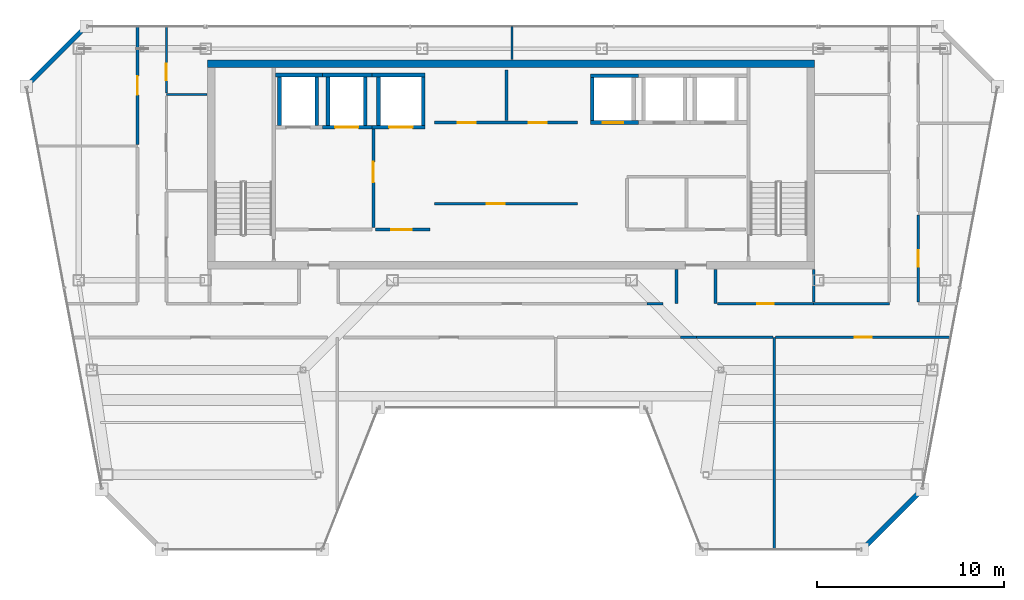
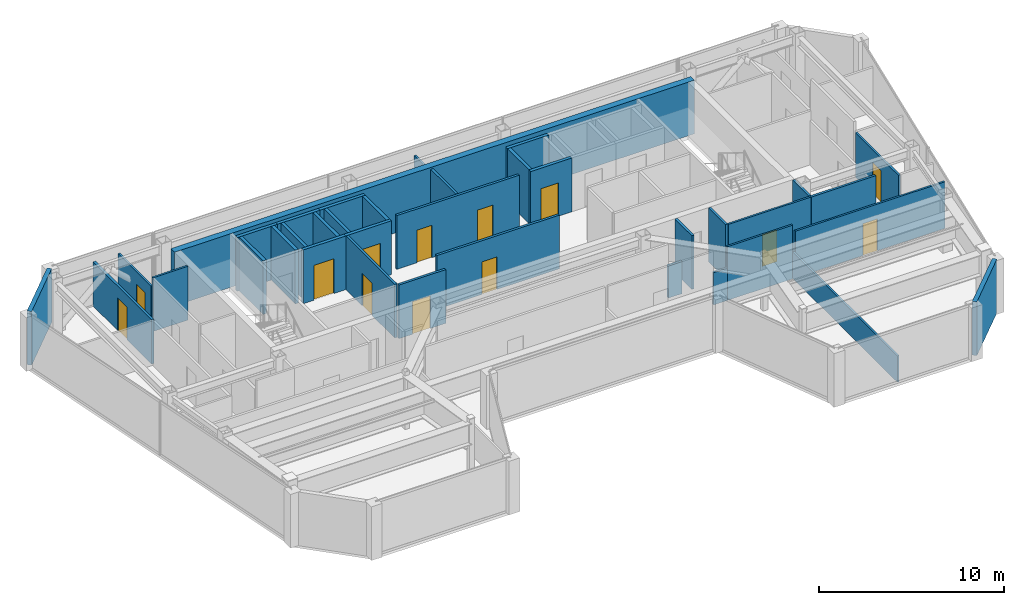
# One storey, part 20 of 23: 37 walls, 13 doors, 13 openings.
"""IFC4 building model written with IfcOpenShell, lengths in metres."""

from ifc_helpers import new_model, si_unit, direction, frame, frame_2d, origin, place, context, subcontext, project, spatial, rectangle, extrude, material, layer, layer_set, type_object, element, fill, save


model = new_model("IFC4")

# Units and contexts
model_context = context("Model", 3, precision=1e-05, world=origin(), true_north=direction((0.0, 1.0)))
body_context = subcontext(model_context, "Body", "Model", "MODEL_VIEW")
ifc_project = project(units=[si_unit("LENGTHUNIT", "METRE"), si_unit("AREAUNIT", "SQUARE_METRE"), si_unit("VOLUMEUNIT", "CUBIC_METRE"), si_unit("PLANEANGLEUNIT", "RADIAN"), si_unit("MASSUNIT", "GRAM", prefix="KILO")], contexts=[model_context])

# Site, building, storey
site_placement = place(None, origin())
site = spatial("IfcSite", under=ifc_project, at=site_placement, CompositionType="ELEMENT")
building_placement = place(site_placement, origin())
building = spatial("IfcBuilding", under=site, at=building_placement, Name="Saevonmaru Cultural Tower", CompositionType="ELEMENT")
storey_placement = place(building_placement, frame((0.0, 0.0, 291.39990234375)))
storey = spatial("IfcBuildingStorey", under=building, at=storey_placement, Name="L69", CompositionType="ELEMENT", Elevation=291.39990234375)

# Wall
ifc_material_1 = material(Name="Concrete C50/60", Category="concrete")
ifc_layer_1 = layer(ifc_material_1, 0.39990234375, Name="Concrete C50/60")
ifc_layer_set_1 = layer_set([ifc_layer_1], Name="Concrete C50/60")
wall_type_1 = type_object("IfcWallType", Name="WL-CORE-400", PredefinedType="SHEAR", material=ifc_layer_set_1)
wall_1_placement = place(storey_placement, frame((13.699951171875, 54.0, 0.0), z_axis=(0.0, 0.0, 1.0), x_axis=(1.0, 0.0, 0.0)))
element("IfcWall", 1, at=wall_1_placement, inside=storey, type_object=wall_type_1, Name="L69 Tower RC core shear wall N", PredefinedType="SHEAR", context=body_context, shape_type="SweptSolid", body=[
    extrude(rectangle(XDim=32.5, YDim=0.39990234375, at=frame_2d((16.25, 0.0))), origin(), (0.0, 0.0, 1.0), 3.550048828125),
])

# Wall, opening, door
ifc_material_2 = material(Name="Gypsum Fireboard Partition", Category="gypsum")
ifc_layer_2 = layer(ifc_material_2, 0.14990234375, Name="Gypsum Fireboard Partition")
ifc_layer_set_2 = layer_set([ifc_layer_2], Name="Gypsum Fireboard Partition")
wall_type_2 = type_object("IfcWallType", Name="WL-CORE-PART-150", PredefinedType="PARTITIONING", material=ifc_layer_set_2)
wall_2_placement = place(storey_placement, frame((22.580078125, 50.550048828125, 0.0), z_axis=(0.0, 0.0, 1.0), x_axis=(0.0, -1.0, 0.0)))
wall_2 = element("IfcWall", 2, at=wall_2_placement, inside=storey, type_object=wall_type_2, Name="L69 Firefighting Lift Lobby East Wall", PredefinedType="PARTITIONING", context=body_context, shape_type="SweptSolid", body=[
    extrude(rectangle(XDim=5.330078125, YDim=0.14990234375, at=frame_2d((2.6650390625, 0.0))), origin(), (0.0, 0.0, 1.0), 3.550048828125),
])
opening_1_placement = place(wall_2_placement, frame((1.800048828125, 0.0, 0.0)))
opening_1 = element("IfcOpeningElement", 3, at=opening_1_placement, cuts=wall_2, Name="Opening FD-2", PredefinedType="OPENING", context=body_context, shape_type="SweptSolid", body=[
    extrude(rectangle(XDim=1.10009765625, YDim=2.14990234375, at=frame_2d((0.550048828125, 1.074951171875))), frame((0.0, 0.0849609375, 0.0), z_axis=(0.0, -1.0, 0.0), x_axis=(1.0, 0.0, 0.0)), (0.0, 0.0, 1.0), 0.169921875),
])
ifc_material_3 = material(Name="Satin Bronze Anodised Aluminium", Category="aluminium")
door_type_1 = type_object("IfcDoorType", Name="DR-FD60-1100", OperationType="SINGLE_SWING_LEFT", PredefinedType="DOOR", material=ifc_material_3)
door_1_placement = place(opening_1_placement, origin())
door_1 = element("IfcDoor", 4, at=door_1_placement, inside=storey, type_object=door_type_1, Name="L69 Firefighting Lift Lobby East Door", OperationType="SINGLE_SWING_LEFT", OverallHeight=2.14990234375, OverallWidth=1.10009765625, PredefinedType="DOOR", context=body_context, shape_type="SweptSolid", body=[
    extrude(rectangle(XDim=1.10009765625, YDim=2.14990234375, at=frame_2d((0.550048828125, 1.074951171875))), frame((0.0, 0.02490234375, 0.0), z_axis=(0.0, -1.0, 0.0), x_axis=(1.0, 0.0, 0.0)), (0.0, 0.0, 1.0), 0.050048828125),
])
fill(opening_1, door_1)

wall_3_placement = place(storey_placement, frame((22.679931640625, 45.1201171875, 0.0), z_axis=(0.0, 0.0, 1.0), x_axis=(1.0, 0.0, 0.0)))
wall_3 = element("IfcWall", 5, at=wall_3_placement, inside=storey, type_object=wall_type_2, Name="L69 Service Lift Vestibule Wall", PredefinedType="PARTITIONING", context=body_context, shape_type="SweptSolid", body=[
    extrude(rectangle(XDim=2.920166015625, YDim=0.14990234375, at=frame_2d((1.4599609375, 0.0))), origin(), (0.0, 0.0, 1.0), 3.550048828125),
])
opening_2_placement = place(wall_3_placement, frame((0.85009765625, 0.0, 0.0)))
opening_2 = element("IfcOpeningElement", 6, at=opening_2_placement, cuts=wall_3, Name="Opening FD-2", PredefinedType="OPENING", context=body_context, shape_type="SweptSolid", body=[
    extrude(rectangle(XDim=1.10009765625, YDim=2.14990234375, at=frame_2d((0.550048828125, 1.074951171875))), frame((0.0, 0.0849609375, 0.0), z_axis=(0.0, -1.0, 0.0), x_axis=(1.0, 0.0, 0.0)), (0.0, 0.0, 1.0), 0.169921875),
])
door_2_placement = place(opening_2_placement, origin())
door_2 = element("IfcDoor", 7, at=door_2_placement, inside=storey, type_object=door_type_1, Name="L69 Service Lift Vestibule Door", OperationType="SINGLE_SWING_LEFT", OverallHeight=2.14990234375, OverallWidth=1.10009765625, PredefinedType="DOOR", context=body_context, shape_type="SweptSolid", body=[
    extrude(rectangle(XDim=1.10009765625, YDim=2.14990234375, at=frame_2d((0.550048828125, 1.074951171875))), frame((0.0, 0.02490234375, 0.0), z_axis=(0.0, -1.0, 0.0), x_axis=(1.0, 0.0, 0.0)), (0.0, 0.0, 1.0), 0.050048828125),
])
fill(opening_2, door_2)

# Wall, openings, doors
wall_4_placement = place(storey_placement, frame((25.85009765625, 50.85009765625, 0.0), z_axis=(0.0, 0.0, 1.0), x_axis=(1.0, 0.0, 0.0)))
wall_4 = element("IfcWall", 8, at=wall_4_placement, inside=storey, type_object=wall_type_2, Name="L69 Reclaimed Core Room South Wall", PredefinedType="PARTITIONING", context=body_context, shape_type="SweptSolid", body=[
    extrude(rectangle(XDim=7.64990234375, YDim=0.14990234375, at=frame_2d((3.824951171875, 0.0))), origin(), (0.0, 0.0, 1.0), 3.550048828125),
])
opening_3_placement = place(wall_4_placement, frame((1.25, 0.0, 0.0)))
opening_3 = element("IfcOpeningElement", 9, at=opening_3_placement, cuts=wall_4, Name="Opening FD-4", PredefinedType="OPENING", context=body_context, shape_type="SweptSolid", body=[
    extrude(rectangle(XDim=0.949951171875, YDim=2.14990234375, at=frame_2d((0.47509765625, 1.074951171875))), frame((0.0, 0.0849609375, 0.0), z_axis=(0.0, -1.0, 0.0), x_axis=(1.0, 0.0, 0.0)), (0.0, 0.0, 1.0), 0.169921875),
])
opening_4_placement = place(wall_4_placement, frame((5.050048828125, 0.0, 0.0)))
opening_4 = element("IfcOpeningElement", 10, at=opening_4_placement, cuts=wall_4, Name="Opening FD-4", PredefinedType="OPENING", context=body_context, shape_type="SweptSolid", body=[
    extrude(rectangle(XDim=0.949951171875, YDim=2.14990234375, at=frame_2d((0.47509765625, 1.074951171875))), frame((0.0, 0.0849609375, 0.0), z_axis=(0.0, -1.0, 0.0), x_axis=(1.0, 0.0, 0.0)), (0.0, 0.0, 1.0), 0.169921875),
])
door_type_2 = type_object("IfcDoorType", Name="DR-FD60-950", OperationType="SINGLE_SWING_LEFT", PredefinedType="DOOR", material=ifc_material_3)
door_3_placement = place(opening_3_placement, origin())
door_3 = element("IfcDoor", 11, at=door_3_placement, inside=storey, type_object=door_type_2, Name="L69 Reclaimed Archive Vault Door", OperationType="SINGLE_SWING_LEFT", OverallHeight=2.14990234375, OverallWidth=0.949951171875, PredefinedType="DOOR", context=body_context, shape_type="SweptSolid", body=[
    extrude(rectangle(XDim=0.949951171875, YDim=2.14990234375, at=frame_2d((0.47509765625, 1.074951171875))), frame((0.0, 0.02490234375, 0.0), z_axis=(0.0, -1.0, 0.0), x_axis=(1.0, 0.0, 0.0)), (0.0, 0.0, 1.0), 0.050048828125),
])
fill(opening_3, door_3)
door_4_placement = place(opening_4_placement, origin())
door_4 = element("IfcDoor", 12, at=door_4_placement, inside=storey, type_object=door_type_2, Name="L69 Reclaimed Conservation Storage Door", OperationType="SINGLE_SWING_LEFT", OverallHeight=2.14990234375, OverallWidth=0.949951171875, PredefinedType="DOOR", context=body_context, shape_type="SweptSolid", body=[
    extrude(rectangle(XDim=0.949951171875, YDim=2.14990234375, at=frame_2d((0.47509765625, 1.074951171875))), frame((0.0, 0.02490234375, 0.0), z_axis=(0.0, -1.0, 0.0), x_axis=(1.0, 0.0, 0.0)), (0.0, 0.0, 1.0), 0.050048828125),
])
fill(opening_4, door_4)

# Wall
wall_5_placement = place(storey_placement, frame((29.699951171875, 50.949951171875, 0.0), z_axis=(0.0, 0.0, 1.0), x_axis=(0.0, 1.0, 0.0)))
element("IfcWall", 13, at=wall_5_placement, inside=storey, type_object=wall_type_2, Name="L69 Reclaimed Vault Split", PredefinedType="PARTITIONING", context=body_context, shape_type="SweptSolid", body=[
    extrude(rectangle(XDim=2.699951171875, YDim=0.14990234375, at=frame_2d((1.35009765625, 0.0))), origin(), (0.0, 0.0, 1.0), 3.550048828125),
])

# Wall, opening, door
wall_6_placement = place(storey_placement, frame((25.85009765625, 46.5, 0.0), z_axis=(0.0, 0.0, 1.0), x_axis=(1.0, 0.0, 0.0)))
wall_6 = element("IfcWall", 14, at=wall_6_placement, inside=storey, type_object=wall_type_2, Name="L69 Reclaimed Mid-Shaft Wall", PredefinedType="PARTITIONING", context=body_context, shape_type="SweptSolid", body=[
    extrude(rectangle(XDim=7.64990234375, YDim=0.14990234375, at=frame_2d((3.824951171875, 0.0))), origin(), (0.0, 0.0, 1.0), 3.550048828125),
])
opening_5_placement = place(wall_6_placement, frame((2.800048828125, 0.0, 0.0)))
opening_5 = element("IfcOpeningElement", 15, at=opening_5_placement, cuts=wall_6, Name="Opening FD-4", PredefinedType="OPENING", context=body_context, shape_type="SweptSolid", body=[
    extrude(rectangle(XDim=0.949951171875, YDim=2.14990234375, at=frame_2d((0.47509765625, 1.074951171875))), frame((0.0, 0.0849609375, 0.0), z_axis=(0.0, -1.0, 0.0), x_axis=(1.0, 0.0, 0.0)), (0.0, 0.0, 1.0), 0.169921875),
])
door_5_placement = place(opening_5_placement, origin())
door_5 = element("IfcDoor", 16, at=door_5_placement, inside=storey, type_object=door_type_2, Name="L69 Reclaimed Manuscript Storage Door", OperationType="SINGLE_SWING_LEFT", OverallHeight=2.14990234375, OverallWidth=0.949951171875, PredefinedType="DOOR", context=body_context, shape_type="SweptSolid", body=[
    extrude(rectangle(XDim=0.949951171875, YDim=2.14990234375, at=frame_2d((0.47509765625, 1.074951171875))), frame((0.0, 0.02490234375, 0.0), z_axis=(0.0, -1.0, 0.0), x_axis=(1.0, 0.0, 0.0)), (0.0, 0.0, 1.0), 0.050048828125),
])
fill(opening_5, door_5)

# Walls
ifc_material_4 = material(Name="Granite-Clad Precast Concrete C40/50", Category="masonry")
ifc_layer_3 = layer(ifc_material_4, 0.260009765625, Name="Granite-Clad Precast Concrete C40/50")
ifc_layer_set_3 = layer_set([ifc_layer_3], Name="Granite-Clad Precast Concrete C40/50")
wall_type_3 = type_object("IfcWallType", Name="WL-EXT-SPANDREL-260", PredefinedType="STANDARD", material=ifc_layer_set_3)
for number, where, z_axis, x_axis, name in (
    (17, (48.86865234375, 28.113037109375, 0.0), (0.0, 0.0, 1.0), (0.707106781187, 0.707106781187, 0.0), "L69 Chamfer Corner Spandrel Wall E7"),
    (18, (7.0869140625, 55.886962890625, 0.0), (0.0, 0.0, 1.0), (-0.707106781187, -0.707106781187, 0.0), "L69 Chamfer Corner Spandrel Wall E11"),
):
    element("IfcWall", number, at=place(storey_placement, frame(where, z_axis=z_axis, x_axis=x_axis)), inside=storey, type_object=wall_type_3, Name=name, PredefinedType="STANDARD", context=body_context, shape_type="SweptSolid", body=[
        extrude(rectangle(XDim=4.205810546875, YDim=0.260009765625, at=frame_2d((2.10302734375, 0.0))), origin(), (0.0, 0.0, 1.0), 3.550048828125),
    ])

# Wall, opening, door
ifc_layer_4 = layer(ifc_material_2, 0.14990234375, Name="Gypsum Fireboard Partition")
ifc_layer_set_4 = layer_set([ifc_layer_4], Name="Gypsum Fireboard Partition")
wall_type_4 = type_object("IfcWallType", Name="WL-PART-FIRE-150", PredefinedType="PARTITIONING", material=ifc_layer_set_4)
wall_7_placement = place(storey_placement, frame((9.949951171875, 49.679931640625, 0.0), z_axis=(0.0, 0.0, 1.0), x_axis=(0.0, 1.0, 0.0)))
wall_7 = element("IfcWall", 19, at=wall_7_placement, inside=storey, type_object=wall_type_4, Name="L69 Sound Art Screening Auditorium Corridor Wall", PredefinedType="PARTITIONING", context=body_context, shape_type="SweptSolid", body=[
    extrude(rectangle(XDim=6.315185546875, YDim=0.14990234375, at=frame_2d((3.15771484375, 0.0))), origin(), (0.0, 0.0, 1.0), 2.93505859375),
])
opening_6_placement = place(wall_7_placement, frame((2.656982421875, 0.0, 0.0)))
opening_6 = element("IfcOpeningElement", 20, at=opening_6_placement, cuts=wall_7, Name="Opening ID-1B", PredefinedType="OPENING", context=body_context, shape_type="SweptSolid", body=[
    extrude(rectangle(XDim=1.0, YDim=2.14990234375, at=frame_2d((0.5, 1.074951171875))), frame((0.0, 0.0849609375, 0.0), z_axis=(0.0, -1.0, 0.0), x_axis=(1.0, 0.0, 0.0)), (0.0, 0.0, 1.0), 0.169921875),
])
ifc_material_5 = material(Name="Acoustic Stained Oak Timber", Category="wood")
door_type_3 = type_object("IfcDoorType", Name="DR-INT-1000", OperationType="SINGLE_SWING_RIGHT", PredefinedType="DOOR", material=ifc_material_5)
door_6_placement = place(opening_6_placement, origin())
door_6 = element("IfcDoor", 21, at=door_6_placement, inside=storey, type_object=door_type_3, Name="L69 Sound Art Screening Auditorium Door", OperationType="SINGLE_SWING_LEFT", OverallHeight=2.14990234375, OverallWidth=1.0, PredefinedType="DOOR", context=body_context, shape_type="SweptSolid", body=[
    extrude(rectangle(XDim=1.0, YDim=2.14990234375, at=frame_2d((0.5, 1.074951171875))), frame((0.0, 0.02490234375, 0.0), z_axis=(0.0, -1.0, 0.0), x_axis=(1.0, 0.0, 0.0)), (0.0, 0.0, 1.0), 0.050048828125),
])
fill(opening_6, door_6)

# Walls
for number, where, z_axis, x_axis, name in (
    (22, (38.800048828125, 41.14990234375, 0.0), (0.0, 0.0, 1.0), (0.0, 1.0, 0.0), "L69 Core Portal Side Wall E1"),
    (23, (40.89990234375, 41.14990234375, 0.0), (0.0, 0.0, 1.0), (0.0, 1.0, 0.0), "L69 Core Portal Side Wall E2"),
):
    element("IfcWall", number, at=place(storey_placement, frame(where, z_axis=z_axis, x_axis=x_axis)), inside=storey, type_object=wall_type_4, Name=name, PredefinedType="PARTITIONING", context=body_context, shape_type="SweptSolid", body=[
        extrude(rectangle(XDim=1.830078125, YDim=0.14990234375, at=frame_2d((0.9150390625, 0.0))), origin(), (0.0, 0.0, 1.0), 3.550048828125),
    ])
wall_8_placement = place(storey_placement, frame((37.216796875, 41.14990234375, 0.0), z_axis=(0.0, 0.0, 1.0), x_axis=(1.0, 0.0, 0.0)))
element("IfcWall", 24, at=wall_8_placement, inside=storey, type_object=wall_type_4, Name="L69 Sound Art Screening Auditorium Corridor Wall (4)", PredefinedType="PARTITIONING", context=body_context, shape_type="SweptSolid", body=[
    extrude(rectangle(XDim=0.862060546875, YDim=0.14990234375, at=frame_2d((0.43115234375, 0.0))), origin(), (0.0, 0.0, 1.0), 2.135009765625),
])
ifc_layer_5 = layer(ifc_material_2, 0.1201171875, Name="Gypsum Fireboard Partition")
ifc_layer_set_5 = layer_set([ifc_layer_5], Name="Gypsum Fireboard Partition")
wall_type_5 = type_object("IfcWallType", Name="WL-PART-GYP-120", PredefinedType="PARTITIONING", material=ifc_layer_set_5)
wall_9_placement = place(storey_placement, frame((11.5, 52.35009765625, 0.0), z_axis=(0.0, 0.0, 1.0), x_axis=(1.0, 0.0, 0.0)))
element("IfcWall", 25, at=wall_9_placement, inside=storey, type_object=wall_type_5, Name="L69 North-West Panorama South Wall", PredefinedType="PARTITIONING", context=body_context, shape_type="SweptSolid", body=[
    extrude(rectangle(XDim=2.179931640625, YDim=0.1201171875, at=frame_2d((1.08984375, 0.0))), origin(), (0.0, 0.0, 1.0), 3.550048828125),
])
wall_10_placement = place(storey_placement, frame((30.0, 54.219970703125, 0.0), z_axis=(0.0, 0.0, 1.0), x_axis=(0.0, 1.0, 0.0)))
element("IfcWall", 26, at=wall_10_placement, inside=storey, type_object=wall_type_5, Name="L69 North Panorama Center Split", PredefinedType="PARTITIONING", context=body_context, shape_type="SweptSolid", body=[
    extrude(rectangle(XDim=1.775146484375, YDim=0.1201171875, at=frame_2d((0.8876953125, 0.0))), origin(), (0.0, 0.0, 1.0), 2.93505859375),
])

# Wall, opening, door
wall_11_placement = place(storey_placement, frame((11.5, 52.429931640625, 0.0), z_axis=(0.0, 0.0, 1.0), x_axis=(0.0, 1.0, 0.0)))
wall_11 = element("IfcWall", 27, at=wall_11_placement, inside=storey, type_object=wall_type_5, Name="L69 Civic Policy Meeting Room Corridor Wall", PredefinedType="PARTITIONING", context=body_context, shape_type="SweptSolid", body=[
    extrude(rectangle(XDim=3.565185546875, YDim=0.1201171875, at=frame_2d((1.78271484375, 0.0))), origin(), (0.0, 0.0, 1.0), 2.93505859375),
])
opening_7_placement = place(wall_11_placement, frame((0.672119140625, 0.0, 0.0)))
opening_7 = element("IfcOpeningElement", 28, at=opening_7_placement, cuts=wall_11, Name="Opening ID-2", PredefinedType="OPENING", context=body_context, shape_type="SweptSolid", body=[
    extrude(rectangle(XDim=0.89990234375, YDim=2.10009765625, at=frame_2d((0.449951171875, 1.050048828125))), frame((0.0, 0.070068359375, 0.0), z_axis=(0.0, -1.0, 0.0), x_axis=(1.0, 0.0, 0.0)), (0.0, 0.0, 1.0), 0.14013671875),
])
door_type_4 = type_object("IfcDoorType", Name="DR-INT-900", OperationType="SINGLE_SWING_RIGHT", PredefinedType="DOOR", material=ifc_material_5)
door_7_placement = place(opening_7_placement, origin())
door_7 = element("IfcDoor", 29, at=door_7_placement, inside=storey, type_object=door_type_4, Name="L69 Civic Policy Meeting Room Door", OperationType="SINGLE_SWING_LEFT", OverallHeight=2.10009765625, OverallWidth=0.89990234375, PredefinedType="DOOR", context=body_context, shape_type="SweptSolid", body=[
    extrude(rectangle(XDim=0.89990234375, YDim=2.10009765625, at=frame_2d((0.449951171875, 1.050048828125))), frame((0.0, 0.02490234375, 0.0), z_axis=(0.0, -1.0, 0.0), x_axis=(1.0, 0.0, 0.0)), (0.0, 0.0, 1.0), 0.050048828125),
])
fill(opening_7, door_7)

wall_12_placement = place(storey_placement, frame((51.75, 41.237548828125, 0.0), z_axis=(0.0, 0.0, 1.0), x_axis=(0.0, 1.0, 0.0)))
wall_12 = element("IfcWall", 30, at=wall_12_placement, inside=storey, type_object=wall_type_5, Name="L69 Scholarly Colloquium Meeting Room Corridor Wall", PredefinedType="PARTITIONING", context=body_context, shape_type="SweptSolid", body=[
    extrude(rectangle(XDim=4.675048828125, YDim=0.1201171875, at=frame_2d((2.33740234375, 0.0))), origin(), (0.0, 0.0, 1.0), 2.947021484375),
])
opening_8_placement = place(wall_12_placement, frame((1.887939453125, 0.0, 0.0)))
opening_8 = element("IfcOpeningElement", 31, at=opening_8_placement, cuts=wall_12, Name="Opening ID-2", PredefinedType="OPENING", context=body_context, shape_type="SweptSolid", body=[
    extrude(rectangle(XDim=0.89990234375, YDim=2.10009765625, at=frame_2d((0.449951171875, 1.050048828125))), frame((0.0, 0.070068359375, 0.0), z_axis=(0.0, -1.0, 0.0), x_axis=(1.0, 0.0, 0.0)), (0.0, 0.0, 1.0), 0.14013671875),
])
door_8_placement = place(opening_8_placement, origin())
door_8 = element("IfcDoor", 32, at=door_8_placement, inside=storey, type_object=door_type_4, Name="L69 Scholarly Colloquium Meeting Room Door", OperationType="SINGLE_SWING_RIGHT", OverallHeight=2.10009765625, OverallWidth=0.89990234375, PredefinedType="DOOR", context=body_context, shape_type="SweptSolid", body=[
    extrude(rectangle(XDim=0.89990234375, YDim=2.10009765625, at=frame_2d((0.449951171875, 1.050048828125))), frame((0.0, 0.02490234375, 0.0), z_axis=(0.0, -1.0, 0.0), x_axis=(1.0, 0.0, 0.0)), (0.0, 0.0, 1.0), 0.050048828125),
])
fill(opening_8, door_8)

wall_13_placement = place(storey_placement, frame((40.9951171875, 41.14990234375, 0.0), z_axis=(0.0, 0.0, 1.0), x_axis=(1.0, 0.0, 0.0)))
wall_13 = element("IfcWall", 33, at=wall_13_placement, inside=storey, type_object=wall_type_5, Name="L69 Civic Policy Meeting Room Corridor Wall", PredefinedType="PARTITIONING", context=body_context, shape_type="SweptSolid", body=[
    extrude(rectangle(XDim=5.15478515625, YDim=0.1201171875, at=frame_2d((2.577392578125, 0.0))), origin(), (0.0, 0.0, 1.0), 3.550048828125),
])
opening_9_placement = place(wall_13_placement, frame((2.1279296875, 0.0, 0.0)))
opening_9 = element("IfcOpeningElement", 34, at=opening_9_placement, cuts=wall_13, Name="Opening ID-2", PredefinedType="OPENING", context=body_context, shape_type="SweptSolid", body=[
    extrude(rectangle(XDim=0.89990234375, YDim=2.10009765625, at=frame_2d((0.449951171875, 1.050048828125))), frame((0.0, 0.070068359375, 0.0), z_axis=(0.0, -1.0, 0.0), x_axis=(1.0, 0.0, 0.0)), (0.0, 0.0, 1.0), 0.14013671875),
])
door_9_placement = place(opening_9_placement, origin())
door_9 = element("IfcDoor", 35, at=door_9_placement, inside=storey, type_object=door_type_4, Name="L69 Civic Policy Meeting Room Door", OperationType="SINGLE_SWING_LEFT", OverallHeight=2.10009765625, OverallWidth=0.89990234375, PredefinedType="DOOR", context=body_context, shape_type="SweptSolid", body=[
    extrude(rectangle(XDim=0.89990234375, YDim=2.10009765625, at=frame_2d((0.449951171875, 1.050048828125))), frame((0.0, 0.02490234375, 0.0), z_axis=(0.0, -1.0, 0.0), x_axis=(1.0, 0.0, 0.0)), (0.0, 0.0, 1.0), 0.050048828125),
])
fill(opening_9, door_9)

# Walls
wall_14_placement = place(storey_placement, frame((44.0400390625, 28.0048828125, 0.0), z_axis=(0.0, 0.0, 1.0), x_axis=(0.0, 1.0, 0.0)))
element("IfcWall", 36, at=wall_14_placement, inside=storey, type_object=wall_type_5, Name="L69 Observatory Bay Divider 3", PredefinedType="PARTITIONING", context=body_context, shape_type="SweptSolid", body=[
    extrude(rectangle(XDim=11.34521484375, YDim=0.1201171875, at=frame_2d((5.672607421875, 0.0))), origin(), (0.0, 0.0, 1.0), 1.735107421875),
])
wall_15_placement = place(storey_placement, frame((39.8759765625, 39.35009765625, 0.0), z_axis=(0.0, 0.0, 1.0), x_axis=(1.0, 0.0, 0.0)))
element("IfcWall", 37, at=wall_15_placement, inside=storey, type_object=wall_type_5, Name="L69 Civic Policy Meeting Room Corridor Wall (2)", PredefinedType="PARTITIONING", context=body_context, shape_type="SweptSolid", body=[
    extrude(rectangle(XDim=4.083984375, YDim=0.1201171875, at=frame_2d((2.0419921875, 0.0))), origin(), (0.0, 0.0, 1.0), 3.550048828125),
])
wall_16_placement = place(storey_placement, frame((39.013916015625, 39.35009765625, 0.0), z_axis=(0.0, 0.0, 1.0), x_axis=(1.0, 0.0, 0.0)))
element("IfcWall", 38, at=wall_16_placement, inside=storey, type_object=wall_type_5, Name="L69 Civic Policy Meeting Room Corridor Wall (3)", PredefinedType="PARTITIONING", context=body_context, shape_type="SweptSolid", body=[
    extrude(rectangle(XDim=0.862060546875, YDim=0.1201171875, at=frame_2d((0.43115234375, 0.0))), origin(), (0.0, 0.0, 1.0), 2.135009765625),
])

# Wall, opening, door
wall_17_placement = place(storey_placement, frame((44.1201171875, 39.35009765625, 0.0), z_axis=(0.0, 0.0, 1.0), x_axis=(1.0, 0.0, 0.0)))
wall_17 = element("IfcWall", 39, at=wall_17_placement, inside=storey, type_object=wall_type_5, Name="L69 Scholarly Colloquium Meeting Room Corridor Wall", PredefinedType="PARTITIONING", context=body_context, shape_type="SweptSolid", body=[
    extrude(rectangle(XDim=9.3564453125, YDim=0.1201171875, at=frame_2d((4.67822265625, 0.0))), origin(), (0.0, 0.0, 1.0), 3.085205078125),
])
opening_10_placement = place(wall_17_placement, frame((4.22802734375, 0.0, 0.0)))
opening_10 = element("IfcOpeningElement", 40, at=opening_10_placement, cuts=wall_17, Name="Opening ID-2", PredefinedType="OPENING", context=body_context, shape_type="SweptSolid", body=[
    extrude(rectangle(XDim=0.89990234375, YDim=2.10009765625, at=frame_2d((0.449951171875, 1.050048828125))), frame((0.0, 0.070068359375, 0.0), z_axis=(0.0, -1.0, 0.0), x_axis=(1.0, 0.0, 0.0)), (0.0, 0.0, 1.0), 0.14013671875),
])
door_10_placement = place(opening_10_placement, origin())
door_10 = element("IfcDoor", 41, at=door_10_placement, inside=storey, type_object=door_type_4, Name="L69 Scholarly Colloquium Meeting Room Door", OperationType="SINGLE_SWING_LEFT", OverallHeight=2.10009765625, OverallWidth=0.89990234375, PredefinedType="DOOR", context=body_context, shape_type="SweptSolid", body=[
    extrude(rectangle(XDim=0.89990234375, YDim=2.10009765625, at=frame_2d((0.449951171875, 1.050048828125))), frame((0.0, 0.02490234375, 0.0), z_axis=(0.0, -1.0, 0.0), x_axis=(1.0, 0.0, 0.0)), (0.0, 0.0, 1.0), 0.050048828125),
])
fill(opening_10, door_10)

# Walls
ifc_layer_6 = layer(ifc_material_2, 0.139892578125, Name="Gypsum Fireboard Partition")
ifc_layer_set_6 = layer_set([ifc_layer_6], Name="Gypsum Fireboard Partition")
wall_type_6 = type_object("IfcWallType", Name="WL-PART-WET-140", PredefinedType="PARTITIONING", material=ifc_layer_set_6)
wall_18_placement = place(storey_placement, frame((46.14990234375, 41.14990234375, 0.0), z_axis=(0.0, 0.0, 1.0), x_axis=(1.0, 0.0, 0.0)))
element("IfcWall", 42, at=wall_18_placement, inside=storey, type_object=wall_type_6, Name="L69 Washroom South Wall", PredefinedType="PARTITIONING", context=body_context, shape_type="SweptSolid", body=[
    extrude(rectangle(XDim=4.050048828125, YDim=0.139892578125, at=frame_2d((2.02490234375, 0.0))), origin(), (0.0, 0.0, 1.0), 3.550048828125),
])
wall_19_placement = place(storey_placement, frame((46.14990234375, 41.239990234375, 0.0), z_axis=(0.0, 0.0, 1.0), x_axis=(0.0, 1.0, 0.0)))
element("IfcWall", 43, at=wall_19_placement, inside=storey, type_object=wall_type_6, Name="L69 Washroom South-West Return", PredefinedType="PARTITIONING", context=body_context, shape_type="SweptSolid", body=[
    extrude(rectangle(XDim=1.739990234375, YDim=0.139892578125, at=frame_2d((0.8701171875, 0.0))), origin(), (0.0, 0.0, 1.0), 3.550048828125),
])
ifc_material_6 = material(Name="Concrete C40/50", Category="concrete")
ifc_layer_7 = layer(ifc_material_6, 0.199951171875, Name="Concrete C40/50")
ifc_layer_set_7 = layer_set([ifc_layer_7], Name="Concrete C40/50")
wall_type_7 = type_object("IfcWallType", Name="WL-SHAFT-200", PredefinedType="SHEAR", material=ifc_layer_set_7)
wall_20_placement = place(storey_placement, frame((17.330078125, 53.39990234375, 0.0), z_axis=(0.0, 0.0, 1.0), x_axis=(1.0, 0.0, 0.0)))
element("IfcWall", 44, at=wall_20_placement, inside=storey, type_object=wall_type_7, Name="L69 Lift FFL-1 Hoistway Wall N", PredefinedType="SHEAR", context=body_context, shape_type="SweptSolid", body=[
    extrude(rectangle(XDim=2.52001953125, YDim=0.199951171875, at=frame_2d((1.260009765625, 0.0))), origin(), (0.0, 0.0, 1.0), 3.550048828125),
])
for number, where, z_axis, x_axis, name in (
    (45, (17.550048828125, 50.699951171875, 0.0), (0.0, 0.0, 1.0), (0.0, 1.0, 0.0), "L69 Lift FFL-1 Hoistway Wall W"),
    (46, (19.550048828125, 50.699951171875, 0.0), (0.0, 0.0, 1.0), (0.0, 1.0, 0.0), "L69 Lift FFL-1 Hoistway Wall E"),
):
    element("IfcWall", number, at=place(storey_placement, frame(where, z_axis=z_axis, x_axis=x_axis)), inside=storey, type_object=wall_type_7, Name=name, PredefinedType="SHEAR", context=body_context, shape_type="SweptSolid", body=[
        extrude(rectangle(XDim=2.60009765625, YDim=0.199951171875, at=frame_2d((1.300048828125, 0.0))), origin(), (0.0, 0.0, 1.0), 3.550048828125),
    ])

# Wall, opening, door
wall_21_placement = place(storey_placement, frame((19.85009765625, 50.60009765625, 0.0), z_axis=(0.0, 0.0, 1.0), x_axis=(1.0, 0.0, 0.0)))
wall_21 = element("IfcWall", 47, at=wall_21_placement, inside=storey, type_object=wall_type_7, Name="L69 Lift FFL-2 Hoistway Wall S", PredefinedType="SHEAR", context=body_context, shape_type="SweptSolid", body=[
    extrude(rectangle(XDim=2.64990234375, YDim=0.199951171875, at=frame_2d((1.324951171875, 0.0))), origin(), (0.0, 0.0, 1.0), 3.550048828125),
])
opening_11_placement = place(wall_21_placement, frame((0.675048828125, 0.0, 0.0)))
opening_11 = element("IfcOpeningElement", 48, at=opening_11_placement, cuts=wall_21, Name="Opening LD-2", PredefinedType="OPENING", context=body_context, shape_type="SweptSolid", body=[
    extrude(rectangle(XDim=1.25, YDim=2.300048828125, at=frame_2d((0.625, 1.14990234375))), frame((0.0, 0.10986328125, 0.0), z_axis=(0.0, -1.0, 0.0), x_axis=(1.0, 0.0, 0.0)), (0.0, 0.0, 1.0), 0.219970703125),
])
ifc_material_7 = material(Name="Stainless Steel 316", Category="steel")
door_type_5 = type_object("IfcDoorType", Name="DR-LIFT-1250", OperationType="SLIDING_TO_LEFT", PredefinedType="DOOR", material=ifc_material_7)
door_11_placement = place(opening_11_placement, origin())
door_11 = element("IfcDoor", 49, at=door_11_placement, inside=storey, type_object=door_type_5, Name="L69 Lift FFL-2 Sliding Landing Door", OperationType="SLIDING_TO_LEFT", OverallHeight=2.300048828125, OverallWidth=1.25, PredefinedType="DOOR", context=body_context, shape_type="SweptSolid", body=[
    extrude(rectangle(XDim=1.25, YDim=2.300048828125, at=frame_2d((0.625, 1.14990234375))), frame((0.0, 0.02490234375, 0.0), z_axis=(0.0, -1.0, 0.0), x_axis=(1.0, 0.0, 0.0)), (0.0, 0.0, 1.0), 0.050048828125),
])
fill(opening_11, door_11)

# Walls
wall_22_placement = place(storey_placement, frame((19.85009765625, 53.39990234375, 0.0), z_axis=(0.0, 0.0, 1.0), x_axis=(1.0, 0.0, 0.0)))
element("IfcWall", 50, at=wall_22_placement, inside=storey, type_object=wall_type_7, Name="L69 Lift FFL-2 Hoistway Wall N", PredefinedType="SHEAR", context=body_context, shape_type="SweptSolid", body=[
    extrude(rectangle(XDim=2.64990234375, YDim=0.199951171875, at=frame_2d((1.324951171875, 0.0))), origin(), (0.0, 0.0, 1.0), 3.550048828125),
])
for number, where, z_axis, x_axis, name in (
    (51, (20.14990234375, 50.699951171875, 0.0), (0.0, 0.0, 1.0), (0.0, 1.0, 0.0), "L69 Lift FFL-2 Hoistway Wall W"),
    (52, (22.14990234375, 50.699951171875, 0.0), (0.0, 0.0, 1.0), (0.0, 1.0, 0.0), "L69 Lift FFL-2 Hoistway Wall E"),
):
    element("IfcWall", number, at=place(storey_placement, frame(where, z_axis=z_axis, x_axis=x_axis)), inside=storey, type_object=wall_type_7, Name=name, PredefinedType="SHEAR", context=body_context, shape_type="SweptSolid", body=[
        extrude(rectangle(XDim=2.60009765625, YDim=0.199951171875, at=frame_2d((1.300048828125, 0.0))), origin(), (0.0, 0.0, 1.0), 3.550048828125),
    ])

# Wall, opening, door
wall_23_placement = place(storey_placement, frame((22.5, 50.60009765625, 0.0), z_axis=(0.0, 0.0, 1.0), x_axis=(1.0, 0.0, 0.0)))
wall_23 = element("IfcWall", 53, at=wall_23_placement, inside=storey, type_object=wall_type_7, Name="L69 Lift GL-1 Hoistway Wall S", PredefinedType="SHEAR", context=body_context, shape_type="SweptSolid", body=[
    extrude(rectangle(XDim=2.85009765625, YDim=0.199951171875, at=frame_2d((1.425048828125, 0.0))), origin(), (0.0, 0.0, 1.0), 3.550048828125),
])
opening_12_placement = place(wall_23_placement, frame((0.925048828125, 0.0, 0.0)))
opening_12 = element("IfcOpeningElement", 54, at=opening_12_placement, cuts=wall_23, Name="Opening LD-2", PredefinedType="OPENING", context=body_context, shape_type="SweptSolid", body=[
    extrude(rectangle(XDim=1.25, YDim=2.300048828125, at=frame_2d((0.625, 1.14990234375))), frame((0.0, 0.10986328125, 0.0), z_axis=(0.0, -1.0, 0.0), x_axis=(1.0, 0.0, 0.0)), (0.0, 0.0, 1.0), 0.219970703125),
])
door_12_placement = place(opening_12_placement, origin())
door_12 = element("IfcDoor", 55, at=door_12_placement, inside=storey, type_object=door_type_5, Name="L69 Lift GL-1 Sliding Landing Door", OperationType="SLIDING_TO_LEFT", OverallHeight=2.300048828125, OverallWidth=1.25, PredefinedType="DOOR", context=body_context, shape_type="SweptSolid", body=[
    extrude(rectangle(XDim=1.25, YDim=2.300048828125, at=frame_2d((0.625, 1.14990234375))), frame((0.0, 0.02490234375, 0.0), z_axis=(0.0, -1.0, 0.0), x_axis=(1.0, 0.0, 0.0)), (0.0, 0.0, 1.0), 0.050048828125),
])
fill(opening_12, door_12)

# Walls
wall_24_placement = place(storey_placement, frame((22.5, 53.39990234375, 0.0), z_axis=(0.0, 0.0, 1.0), x_axis=(1.0, 0.0, 0.0)))
element("IfcWall", 56, at=wall_24_placement, inside=storey, type_object=wall_type_7, Name="L69 Lift GL-1 Hoistway Wall N", PredefinedType="SHEAR", context=body_context, shape_type="SweptSolid", body=[
    extrude(rectangle(XDim=2.85009765625, YDim=0.199951171875, at=frame_2d((1.425048828125, 0.0))), origin(), (0.0, 0.0, 1.0), 3.550048828125),
])
for number, where, z_axis, x_axis, name in (
    (57, (22.85009765625, 50.699951171875, 0.0), (0.0, 0.0, 1.0), (0.0, 1.0, 0.0), "L69 Lift GL-1 Hoistway Wall W"),
    (58, (25.25, 50.699951171875, 0.0), (0.0, 0.0, 1.0), (0.0, 1.0, 0.0), "L69 Lift GL-1 Hoistway Wall E"),
):
    element("IfcWall", number, at=place(storey_placement, frame(where, z_axis=z_axis, x_axis=x_axis)), inside=storey, type_object=wall_type_7, Name=name, PredefinedType="SHEAR", context=body_context, shape_type="SweptSolid", body=[
        extrude(rectangle(XDim=2.60009765625, YDim=0.199951171875, at=frame_2d((1.300048828125, 0.0))), origin(), (0.0, 0.0, 1.0), 3.550048828125),
    ])

# Wall, opening, door
wall_25_placement = place(storey_placement, frame((34.199951171875, 50.85009765625, 0.0), z_axis=(0.0, 0.0, 1.0), x_axis=(1.0, 0.0, 0.0)))
wall_25 = element("IfcWall", 59, at=wall_25_placement, inside=storey, type_object=wall_type_7, Name="L69 Lift PL-H1 Hoistway Wall S", PredefinedType="SHEAR", context=body_context, shape_type="SweptSolid", body=[
    extrude(rectangle(XDim=2.574951171875, YDim=0.199951171875, at=frame_2d((1.28759765625, 0.0))), origin(), (0.0, 0.0, 1.0), 3.550048828125),
])
opening_13_placement = place(wall_25_placement, frame((0.64990234375, 0.0, 0.0)))
opening_13 = element("IfcOpeningElement", 60, at=opening_13_placement, cuts=wall_25, Name="Opening LD-1", PredefinedType="OPENING", context=body_context, shape_type="SweptSolid", body=[
    extrude(rectangle(XDim=1.10009765625, YDim=2.199951171875, at=frame_2d((0.550048828125, 1.10009765625))), frame((0.0, 0.10986328125, 0.0), z_axis=(0.0, -1.0, 0.0), x_axis=(1.0, 0.0, 0.0)), (0.0, 0.0, 1.0), 0.219970703125),
])
ifc_material_8 = material(Name="Satin Bronze Stainless Steel", Category="steel")
door_type_6 = type_object("IfcDoorType", Name="DR-LIFT-1100", OperationType="SLIDING_TO_LEFT", PredefinedType="DOOR", material=ifc_material_8)
door_13_placement = place(opening_13_placement, origin())
door_13 = element("IfcDoor", 61, at=door_13_placement, inside=storey, type_object=door_type_6, Name="L69 Lift PL-H1 Sliding Landing Door", OperationType="SLIDING_TO_LEFT", OverallHeight=2.199951171875, OverallWidth=1.10009765625, PredefinedType="DOOR", context=body_context, shape_type="SweptSolid", body=[
    extrude(rectangle(XDim=1.10009765625, YDim=2.199951171875, at=frame_2d((0.550048828125, 1.10009765625))), frame((0.0, 0.02490234375, 0.0), z_axis=(0.0, -1.0, 0.0), x_axis=(1.0, 0.0, 0.0)), (0.0, 0.0, 1.0), 0.050048828125),
])
fill(opening_13, door_13)

# Walls
wall_26_placement = place(storey_placement, frame((34.199951171875, 53.35009765625, 0.0), z_axis=(0.0, 0.0, 1.0), x_axis=(1.0, 0.0, 0.0)))
element("IfcWall", 62, at=wall_26_placement, inside=storey, type_object=wall_type_7, Name="L69 Lift PL-H1 Hoistway Wall N", PredefinedType="SHEAR", context=body_context, shape_type="SweptSolid", body=[
    extrude(rectangle(XDim=2.574951171875, YDim=0.199951171875, at=frame_2d((1.28759765625, 0.0))), origin(), (0.0, 0.0, 1.0), 3.550048828125),
])
wall_27_placement = place(storey_placement, frame((34.300048828125, 50.949951171875, 0.0), z_axis=(0.0, 0.0, 1.0), x_axis=(0.0, 1.0, 0.0)))
element("IfcWall", 63, at=wall_27_placement, inside=storey, type_object=wall_type_7, Name="L69 Lift PL-H1 Hoistway Wall W", PredefinedType="SHEAR", context=body_context, shape_type="SweptSolid", body=[
    extrude(rectangle(XDim=2.300048828125, YDim=0.199951171875, at=frame_2d((1.14990234375, 0.0))), origin(), (0.0, 0.0, 1.0), 3.550048828125),
])

save(model, "model.ifc")
